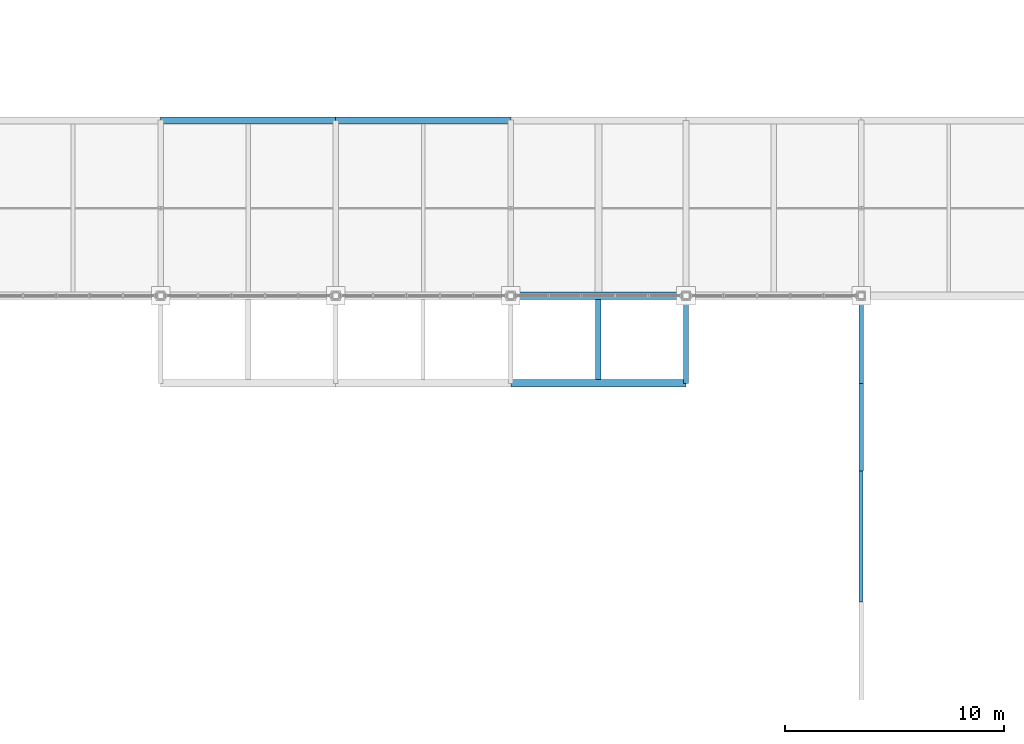
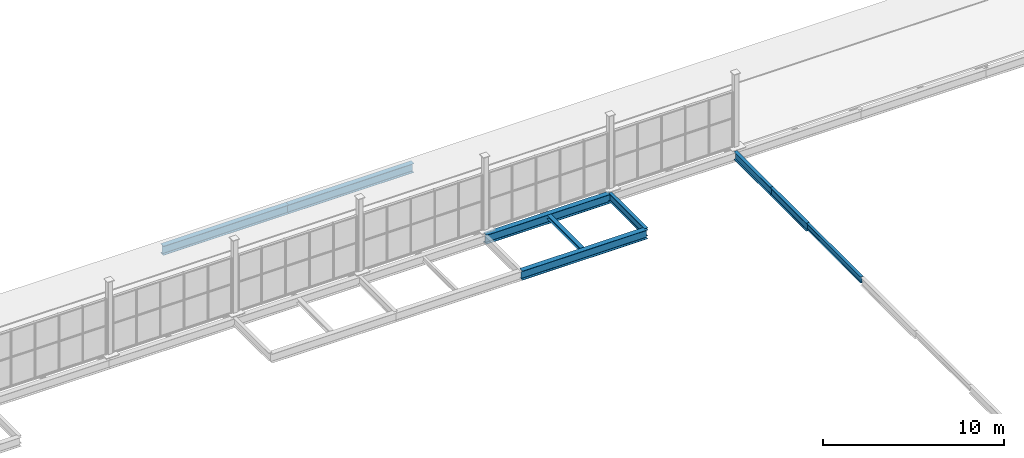
# One storey, part 52 of 96: 9 beams.
"""IFC4 building model written with IfcOpenShell, lengths in metres."""

from ifc_helpers import new_model, si_unit, direction, frame, origin, origin_2d, place, context, subcontext, project, spatial, i_section, extrude, material, material_profile, profile_set, type_object, element, save


model = new_model("IFC4")

# Units and contexts
model_context = context("Model", 3, precision=1e-05, world=origin(), true_north=direction((0.0, 1.0)))
body_context = subcontext(model_context, "Body", "Model", "MODEL_VIEW")
ifc_project = project(units=[si_unit("LENGTHUNIT", "METRE"), si_unit("AREAUNIT", "SQUARE_METRE"), si_unit("VOLUMEUNIT", "CUBIC_METRE"), si_unit("PLANEANGLEUNIT", "RADIAN"), si_unit("MASSUNIT", "GRAM", prefix="KILO")], contexts=[model_context])

# Site, building, storey
site_placement = place(None, origin())
site = spatial("IfcSite", under=ifc_project, at=site_placement, CompositionType="ELEMENT")
building_placement = place(site_placement, origin())
building = spatial("IfcBuilding", under=site, at=building_placement, Name="Verrall Gate Interchange", CompositionType="ELEMENT")
storey_placement = place(building_placement, frame((0.0, 0.0, 11.39990234375)))
storey = spatial("IfcBuildingStorey", under=building, at=storey_placement, Name="L03", CompositionType="ELEMENT", Elevation=11.39990234375)

# Beams
ifc_material_1 = material(Name="Structural Steel CSA G40.21 350WT Cat 4", Category="steel")
ifc_material_profile_1 = material_profile(ifc_material_1, i_section(OverallWidth=0.323974609375, OverallDepth=0.611083984375, WebThickness=0.0126953125, FlangeThickness=0.01904296875, FilletRadius=0.014892578125, at=origin_2d()), Name="W610x155")
ifc_profile_set_1 = profile_set([ifc_material_profile_1], Name="Structural Steel CSA G40.21 350WT Cat 4")
beam_type_1 = type_object("IfcBeamType", Name="B-08 Structural Beam W610x155", PredefinedType="BEAM", material=ifc_profile_set_1)
for number, where, z_axis, x_axis, name in (
    (1, (92.0, 44.0, -0.635498046875), (1.0, 0.0, 0.0), (0.0, 1.0, 0.0), "L03 Girder BM-L03-2096 (B-08)"),
    (2, (92.0, 48.0, -0.635498046875), (1.0, 0.0, 0.0), (0.0, 1.0, 0.0), "L03 Girder BM-L03-2117 (B-08)"),
    (3, (76.0, 56.0, -0.635498046875), (1.0, 0.0, 0.0), (0.0, 1.0, 0.0), "L03 Girder BM-L03-2137 (B-08)"),
    (4, (84.0, 56.0, -0.635498046875), (1.0, 0.0, 0.0), (0.0, 1.0, 0.0), "L03 Girder BM-L03-2138 (B-08)"),
):
    element("IfcBeam", number, at=place(storey_placement, frame(where, z_axis=z_axis, x_axis=x_axis)), inside=storey, type_object=beam_type_1, Name=name, PredefinedType="BEAM", context=body_context, shape_type="SweptSolid", body=[
        extrude(i_section(OverallWidth=0.323974609375, OverallDepth=0.611083984375, WebThickness=0.0126953125, FlangeThickness=0.01904296875, FilletRadius=0.014892578125, at=origin_2d()), origin(), (0.0, 0.0, 1.0), 8.0),
    ])
ifc_material_2 = material(Name="Structural Steel CSA G40.21 350W", Category="steel")
ifc_material_profile_2 = material_profile(ifc_material_2, i_section(OverallWidth=0.2109375, OverallDepth=0.5390625, WebThickness=0.01171875, FlangeThickness=0.018798828125, FilletRadius=0.013916015625, at=origin_2d()), Name="W530x109")
ifc_profile_set_2 = profile_set([ifc_material_profile_2], Name="Structural Steel CSA G40.21 350W")
beam_type_2 = type_object("IfcBeamType", Name="B-10 Structural Beam W530x109", PredefinedType="BEAM", material=ifc_profile_set_2)
for number, where, z_axis, x_axis, name in (
    (5, (100.0, 44.0, -0.599365234375), (0.0, 1.0, 0.0), (-1.0, 0.0, 0.0), "L03 Girder BM-L03-2309 (B-10)"),
    (6, (108.0, 40.0, -0.599365234375), (0.0, 1.0, 0.0), (-1.0, 0.0, 0.0), "L03 Girder BM-L03-2318 (B-10)"),
    (7, (108.0, 44.0, -0.599365234375), (0.0, 1.0, 0.0), (-1.0, 0.0, 0.0), "L03 Girder BM-L03-2319 (B-10)"),
):
    element("IfcBeam", number, at=place(storey_placement, frame(where, z_axis=z_axis, x_axis=x_axis)), inside=storey, type_object=beam_type_2, Name=name, PredefinedType="BEAM", context=body_context, shape_type="SweptSolid", body=[
        extrude(i_section(OverallWidth=0.2109375, OverallDepth=0.5390625, WebThickness=0.01171875, FlangeThickness=0.018798828125, FilletRadius=0.013916015625, at=origin_2d()), origin(), (0.0, 0.0, 1.0), 4.0),
    ])
ifc_material_3 = material(Name="Structural Steel CSA G40.21 350W", Category="steel")
ifc_material_profile_3 = material_profile(ifc_material_3, i_section(OverallWidth=0.178955078125, OverallDepth=0.409912109375, WebThickness=0.0087890625, FlangeThickness=0.014404296875, FilletRadius=0.011962890625, at=origin_2d()), Name="W410x67")
ifc_profile_set_3 = profile_set([ifc_material_profile_3], Name="Structural Steel CSA G40.21 350W")
beam_type_3 = type_object("IfcBeamType", Name="B-12 Structural Beam W410x67", PredefinedType="BEAM", material=ifc_profile_set_3)
beam_1_placement = place(storey_placement, frame((108.0, 34.0, -0.534912109375), z_axis=(0.0, 1.0, 0.0), x_axis=(-1.0, 0.0, 0.0)))
element("IfcBeam", 8, at=beam_1_placement, inside=storey, type_object=beam_type_3, Name="L03 Girder BM-L03-2317 (B-12)", PredefinedType="BEAM", context=body_context, shape_type="SweptSolid", body=[
    extrude(i_section(OverallWidth=0.178955078125, OverallDepth=0.409912109375, WebThickness=0.0087890625, FlangeThickness=0.014404296875, FilletRadius=0.011962890625, at=origin_2d()), origin(), (0.0, 0.0, 1.0), 6.0),
])
ifc_material_4 = material(Name="Structural Steel CSA G40.21 350W", Category="steel")
ifc_material_profile_4 = material_profile(ifc_material_4, i_section(OverallWidth=0.25390625, OverallDepth=0.2529296875, WebThickness=0.008544921875, FlangeThickness=0.01416015625, FilletRadius=0.011962890625, at=origin_2d()), Name="W250x73")
ifc_profile_set_4 = profile_set([ifc_material_profile_4], Name="Structural Steel CSA G40.21 350W")
beam_type_4 = type_object("IfcBeamType", Name="J-05 Floor Joist W250x73", PredefinedType="JOIST", material=ifc_profile_set_4)
beam_2_placement = place(storey_placement, frame((96.0, 44.162109375, -0.456298828125), z_axis=(0.0, 1.0, 0.0), x_axis=(-1.0, 0.0, 0.0)))
element("IfcBeam", 9, at=beam_2_placement, inside=storey, type_object=beam_type_4, Name="L03 Secondary Floor Joist JST-L03-2473", PredefinedType="JOIST", context=body_context, shape_type="SweptSolid", body=[
    extrude(i_section(OverallWidth=0.25390625, OverallDepth=0.2529296875, WebThickness=0.008544921875, FlangeThickness=0.01416015625, FilletRadius=0.011962890625, at=origin_2d()), origin(), (0.0, 0.0, 1.0), 3.67578125),
])

save(model, "model.ifc")
